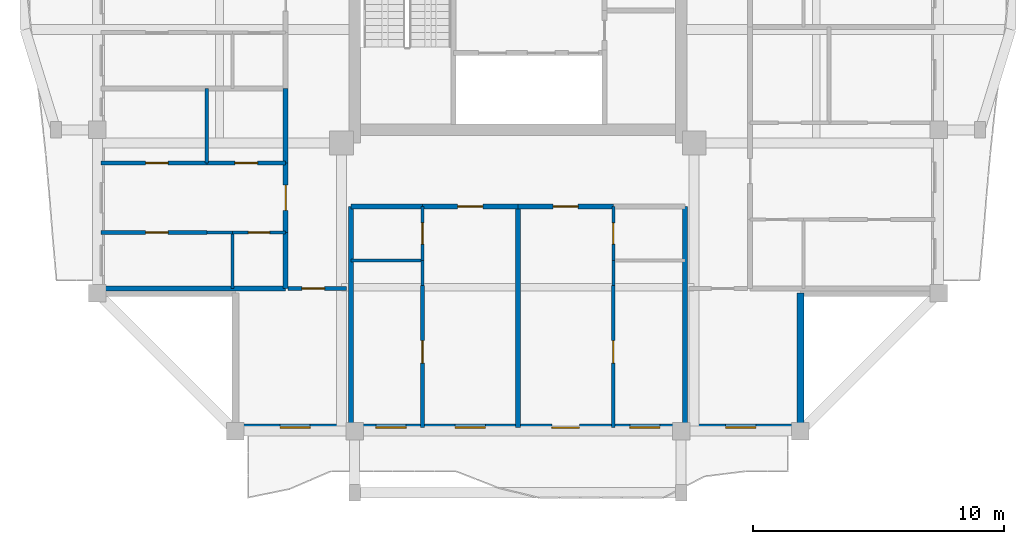
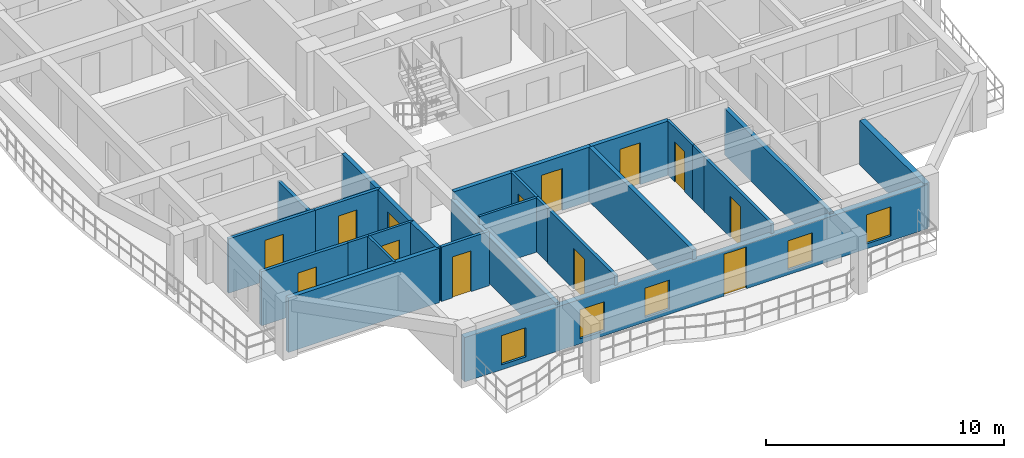
# One storey, part 2 of 14: 27 walls, 13 doors, 5 windows, 18 openings.
"""IFC4 building model written with IfcOpenShell, lengths in metres."""

from ifc_helpers import new_model, si_unit, direction, frame, frame_2d, origin, place, context, subcontext, project, spatial, rectangle, extrude, source, transform, mapped, material, layer, layer_set, type_object, element, fill, save


model = new_model("IFC4")

# Units and contexts
model_context = context("Model", 3, precision=1e-05, world=origin(), true_north=direction((0.0, 1.0)))
body_context = subcontext(model_context, "Body", "Model", "MODEL_VIEW")
ifc_project = project(units=[si_unit("LENGTHUNIT", "METRE"), si_unit("AREAUNIT", "SQUARE_METRE"), si_unit("VOLUMEUNIT", "CUBIC_METRE"), si_unit("PLANEANGLEUNIT", "RADIAN"), si_unit("MASSUNIT", "GRAM", prefix="KILO")], contexts=[model_context])

# Site, building, storey
site_placement = place(None, origin())
site = spatial("IfcSite", under=ifc_project, at=site_placement, CompositionType="ELEMENT")
building_placement = place(site_placement, origin())
building = spatial("IfcBuilding", under=site, at=building_placement, Name="Saelheon Loggia Tower", CompositionType="ELEMENT")
storey_placement = place(building_placement, frame((0.0, 0.0, 230.10009765625)))
storey = spatial("IfcBuildingStorey", under=building, at=storey_placement, Name="L71", CompositionType="ELEMENT", Elevation=230.10009765625)

# Wall, openings, windows, door
ifc_material_1 = material(Name="Architectural Precast Concrete C40/50", Category="concrete")
ifc_layer_1 = layer(ifc_material_1, 0.280029296875)
ifc_layer_set_1 = layer_set([ifc_layer_1], Name="Architectural Precast Concrete C40/50")
wall_type_1 = type_object("IfcWallType", Name="Wall_Ext_Loggia_280", PredefinedType="SOLIDWALL", material=ifc_layer_set_1)
wall_1_placement = place(storey_placement, frame((26.75, 6.139892578125, 0.0), z_axis=(0.0, 0.0, 1.0), x_axis=(1.0, 0.0, 0.0)))
wall_1 = element("IfcWall", 1, at=wall_1_placement, inside=storey, type_object=wall_type_1, Name="L71 South Loggia Inner Wall", PredefinedType="SOLIDWALL", context=body_context, shape_type="SweptSolid", body=[
    extrude(rectangle(XDim=22.5, YDim=0.280029296875, at=frame_2d((11.25, 0.0))), origin(), (0.0, 0.0, 1.0), 2.27978515625),
])
opening_1_placement = place(wall_1_placement, frame((1.77490234375, 0.0, 0.25)))
opening_1 = element("IfcOpeningElement", 2, at=opening_1_placement, cuts=wall_1, Name="Opening WN-03", PredefinedType="OPENING", context=body_context, shape_type="SweptSolid", body=[
    extrude(rectangle(XDim=1.199951171875, YDim=1.5, at=frame_2d((0.60009765625, 0.75))), frame((0.0, 0.152099609375, 0.0), z_axis=(0.0, -1.0, 0.0), x_axis=(1.0, 0.0, 0.0)), (0.0, 0.0, 1.0), 0.303955078125),
])
opening_2_placement = place(wall_1_placement, frame((5.594970703125, 0.0, 0.25)))
opening_2 = element("IfcOpeningElement", 3, at=opening_2_placement, cuts=wall_1, Name="Opening WN-03", PredefinedType="OPENING", context=body_context, shape_type="SweptSolid", body=[
    extrude(rectangle(XDim=1.199951171875, YDim=1.5, at=frame_2d((0.60009765625, 0.75))), frame((0.0, 0.152099609375, 0.0), z_axis=(0.0, -1.0, 0.0), x_axis=(1.0, 0.0, 0.0)), (0.0, 0.0, 1.0), 0.303955078125),
])
opening_3_placement = place(wall_1_placement, frame((8.75, 0.0, 0.25)))
opening_3 = element("IfcOpeningElement", 4, at=opening_3_placement, cuts=wall_1, Name="Opening WN-03", PredefinedType="OPENING", context=body_context, shape_type="SweptSolid", body=[
    extrude(rectangle(XDim=1.199951171875, YDim=1.5, at=frame_2d((0.60009765625, 0.75))), frame((0.0, 0.152099609375, 0.0), z_axis=(0.0, -1.0, 0.0), x_axis=(1.0, 0.0, 0.0)), (0.0, 0.0, 1.0), 0.303955078125),
])
opening_4_placement = place(wall_1_placement, frame((13.7001953125, 0.0, 0.0), z_axis=(0.0, 0.0, 1.0), x_axis=(-1.0, 0.0, 0.0)))
opening_4 = element("IfcOpeningElement", 5, at=opening_4_placement, cuts=wall_1, Name="Opening TD1", PredefinedType="OPENING", context=body_context, shape_type="SweptSolid", body=[
    extrude(rectangle(XDim=1.10009765625, YDim=2.14990234375, at=frame_2d((0.550048828125, 1.074951171875))), frame((0.0, 0.152099609375, 0.0), z_axis=(0.0, -1.0, 0.0), x_axis=(1.0, 0.0, 0.0)), (0.0, 0.0, 1.0), 0.303955078125),
])
opening_5_placement = place(wall_1_placement, frame((15.705078125, 0.0, 0.25)))
opening_5 = element("IfcOpeningElement", 6, at=opening_5_placement, cuts=wall_1, Name="Opening WN-03", PredefinedType="OPENING", context=body_context, shape_type="SweptSolid", body=[
    extrude(rectangle(XDim=1.199951171875, YDim=1.5, at=frame_2d((0.60009765625, 0.75))), frame((0.0, 0.152099609375, 0.0), z_axis=(0.0, -1.0, 0.0), x_axis=(1.0, 0.0, 0.0)), (0.0, 0.0, 1.0), 0.303955078125),
])
opening_6_placement = place(wall_1_placement, frame((19.52490234375, 0.0, 0.25)))
opening_6 = element("IfcOpeningElement", 7, at=opening_6_placement, cuts=wall_1, Name="Opening WN-03", PredefinedType="OPENING", context=body_context, shape_type="SweptSolid", body=[
    extrude(rectangle(XDim=1.199951171875, YDim=1.5, at=frame_2d((0.60009765625, 0.75))), frame((0.0, 0.152099609375, 0.0), z_axis=(0.0, -1.0, 0.0), x_axis=(1.0, 0.0, 0.0)), (0.0, 0.0, 1.0), 0.303955078125),
])
ifc_material_2 = material(Name="Thermal-Break Aluminium and Triple Low-E Glass", Category="aluminium")
window_type = type_object("IfcWindowType", Name="Win_Bedroom_1200x1500", PartitioningType="SINGLE_PANEL", PredefinedType="WINDOW", material=ifc_material_2)
shared_shape_1 = source(origin(), body_context, "Body", "SweptSolid", [
    extrude(rectangle(XDim=1.199951171875, YDim=1.5, at=frame_2d((0.60009765625, 0.75))), frame((0.0, 0.030029296875, 0.0), z_axis=(0.0, -1.0, 0.0), x_axis=(1.0, 0.0, 0.0)), (0.0, 0.0, 1.0), 0.06005859375),
])
window_1_placement = place(opening_1_placement, origin())
window_1 = element("IfcWindow", 8, at=window_1_placement, inside=storey, type_object=window_type, Name="L71 S Dwelling Window 1", OverallHeight=1.5, OverallWidth=1.199951171875, PartitioningType="SINGLE_PANEL", PredefinedType="WINDOW", context=body_context, shape_type="MappedRepresentation", body=[
    mapped(shared_shape_1, transform((0.0, 0.0, 0.0), scale=1.0)),
])
fill(opening_1, window_1)
window_2_placement = place(opening_2_placement, origin())
window_2 = element("IfcWindow", 9, at=window_2_placement, inside=storey, type_object=window_type, Name="L71 S Dwelling Window 2", OverallHeight=1.5, OverallWidth=1.199951171875, PartitioningType="SINGLE_PANEL", PredefinedType="WINDOW", context=body_context, shape_type="MappedRepresentation", body=[
    mapped(shared_shape_1, transform((0.0, 0.0, 0.0), scale=1.0)),
])
fill(opening_2, window_2)
window_3_placement = place(opening_3_placement, origin())
window_3 = element("IfcWindow", 10, at=window_3_placement, inside=storey, type_object=window_type, Name="L71 S Dwelling Window 3", OverallHeight=1.5, OverallWidth=1.199951171875, PartitioningType="SINGLE_PANEL", PredefinedType="WINDOW", context=body_context, shape_type="MappedRepresentation", body=[
    mapped(shared_shape_1, transform((0.0, 0.0, 0.0), scale=1.0)),
])
fill(opening_3, window_3)
window_4_placement = place(opening_5_placement, origin())
window_4 = element("IfcWindow", 11, at=window_4_placement, inside=storey, type_object=window_type, Name="L71 S Dwelling Window 5", OverallHeight=1.5, OverallWidth=1.199951171875, PartitioningType="SINGLE_PANEL", PredefinedType="WINDOW", context=body_context, shape_type="MappedRepresentation", body=[
    mapped(shared_shape_1, transform((0.0, 0.0, 0.0), scale=1.0)),
])
fill(opening_5, window_4)
window_5_placement = place(opening_6_placement, origin())
window_5 = element("IfcWindow", 12, at=window_5_placement, inside=storey, type_object=window_type, Name="L71 S Dwelling Window 6", OverallHeight=1.5, OverallWidth=1.199951171875, PartitioningType="SINGLE_PANEL", PredefinedType="WINDOW", context=body_context, shape_type="MappedRepresentation", body=[
    mapped(shared_shape_1, transform((0.0, 0.0, 0.0), scale=1.0)),
])
fill(opening_6, window_5)
ifc_material_3 = material(Name="Thermal-Break Aluminium Glazed Door", Category="aluminium")
door_type_1 = type_object("IfcDoorType", Name="Door_Terrace_TD1", OperationType="NOTDEFINED", PredefinedType="DOOR", material=ifc_material_3)
shared_shape_2 = source(origin(), body_context, "Body", "SweptSolid", [
    extrude(rectangle(XDim=1.10009765625, YDim=2.14990234375, at=frame_2d((0.550048828125, 1.074951171875))), frame((0.0, 0.02490234375, 0.0), z_axis=(0.0, -1.0, 0.0), x_axis=(1.0, 0.0, 0.0)), (0.0, 0.0, 1.0), 0.050048828125),
])
door_1_placement = place(opening_4_placement, origin())
door_1 = element("IfcDoor", 13, at=door_1_placement, inside=storey, type_object=door_type_1, Name="L71 S Loggia Access Door", OperationType="SINGLE_SWING_RIGHT", OverallHeight=2.14990234375, OverallWidth=1.10009765625, PredefinedType="DOOR", context=body_context, shape_type="MappedRepresentation", body=[
    mapped(shared_shape_2, transform((0.0, 0.0, 0.0), scale=1.0)),
])
fill(opening_4, door_1)

# Wall
wall_2_placement = place(storey_placement, frame((49.25, 6.080078125, 0.0), z_axis=(0.0, 0.0, 1.0), x_axis=(0.0, 1.0, 0.0)))
element("IfcWall", 14, at=wall_2_placement, inside=storey, type_object=wall_type_1, Name="L71 Corner Notch Precast Wall SE1", PredefinedType="SOLIDWALL", context=body_context, shape_type="SweptSolid", body=[
    extrude(rectangle(XDim=5.419921875, YDim=0.280029296875, at=frame_2d((2.7099609375, 0.0))), origin(), (0.0, 0.0, 1.0), 2.27978515625),
])

# Wall, opening, door
ifc_material_4 = material(Name="Lightweight Autoclaved Aerated Concrete Block and Acoustic Gypsum", Category="concrete")
ifc_layer_2 = layer(ifc_material_4, 0.14990234375)
ifc_layer_set_2 = layer_set([ifc_layer_2], Name="Lightweight Autoclaved Aerated Concrete Block and Acoustic Gypsum")
wall_type_2 = type_object("IfcWallType", Name="Wall_Part_150", PredefinedType="PARTITIONING", material=ifc_layer_set_2)
wall_3_placement = place(storey_placement, frame((28.85009765625, 11.679931640625, 0.0), z_axis=(0.0, 0.0, 1.0), x_axis=(1.0, 0.0, 0.0)))
wall_3 = element("IfcWall", 15, at=wall_3_placement, inside=storey, type_object=wall_type_2, Name="PW-L71-CSW-H", PredefinedType="PARTITIONING", context=body_context, shape_type="SweptSolid", body=[
    extrude(rectangle(XDim=2.329833984375, YDim=0.14990234375, at=frame_2d((1.1650390625, 0.0))), origin(), (0.0, 0.0, 1.0), 2.789794921875),
])
opening_7_placement = place(wall_3_placement, frame((0.550048828125, 0.0, 0.0)))
opening_7 = element("IfcOpeningElement", 16, at=opening_7_placement, cuts=wall_3, Name="Opening D-IN2", PredefinedType="OPENING", context=body_context, shape_type="SweptSolid", body=[
    extrude(rectangle(XDim=0.89990234375, YDim=2.10009765625, at=frame_2d((0.449951171875, 1.050048828125))), frame((0.0, 0.0869140625, 0.0), z_axis=(0.0, -1.0, 0.0), x_axis=(1.0, 0.0, 0.0)), (0.0, 0.0, 1.0), 0.173828125),
])
ifc_material_5 = material(Name="Engineered Oak Flush Door", Category="timber")
door_type_2 = type_object("IfcDoorType", Name="Door_Int_900", OperationType="NOTDEFINED", PredefinedType="DOOR", material=ifc_material_5)
shared_shape_3 = source(origin(), body_context, "Body", "SweptSolid", [
    extrude(rectangle(XDim=0.89990234375, YDim=2.10009765625, at=frame_2d((0.449951171875, 1.050048828125))), frame((0.0, 0.02490234375, 0.0), z_axis=(0.0, -1.0, 0.0), x_axis=(1.0, 0.0, 0.0)), (0.0, 0.0, 1.0), 0.050048828125),
])
door_2_placement = place(opening_7_placement, origin())
door_2 = element("IfcDoor", 17, at=door_2_placement, inside=storey, type_object=door_type_2, Name="L71 Corner Home Office SW Door", OperationType="SINGLE_SWING_LEFT", OverallHeight=2.10009765625, OverallWidth=0.89990234375, PredefinedType="DOOR", context=body_context, shape_type="MappedRepresentation", body=[
    mapped(shared_shape_3, transform((0.0, 0.0, 0.0), scale=1.0)),
])
fill(opening_7, door_2)

wall_4_placement = place(storey_placement, frame((34.199951171875, 11.81005859375, 0.0), z_axis=(0.0, 0.0, 1.0), x_axis=(0.0, -1.0, 0.0)))
wall_4 = element("IfcWall", 18, at=wall_4_placement, inside=storey, type_object=wall_type_2, Name="L71 S Partition U08", PredefinedType="PARTITIONING", context=body_context, shape_type="SweptSolid", body=[
    extrude(rectangle(XDim=5.66015625, YDim=0.14990234375, at=frame_2d((2.830078125, 0.0))), origin(), (0.0, 0.0, 1.0), 2.789794921875),
])
opening_8_placement = place(wall_4_placement, frame((2.20166015625, 0.0, 0.0)))
opening_8 = element("IfcOpeningElement", 19, at=opening_8_placement, cuts=wall_4, Name="Opening D-IN2", PredefinedType="OPENING", context=body_context, shape_type="SweptSolid", body=[
    extrude(rectangle(XDim=0.89990234375, YDim=2.10009765625, at=frame_2d((0.449951171875, 1.050048828125))), frame((0.0, 0.0869140625, 0.0), z_axis=(0.0, -1.0, 0.0), x_axis=(1.0, 0.0, 0.0)), (0.0, 0.0, 1.0), 0.173828125),
])
door_3_placement = place(opening_8_placement, origin())
door_3 = element("IfcDoor", 20, at=door_3_placement, inside=storey, type_object=door_type_2, Name="Unit U01 Kitchen Door", OperationType="SINGLE_SWING_LEFT", OverallHeight=2.10009765625, OverallWidth=0.89990234375, PredefinedType="DOOR", context=body_context, shape_type="MappedRepresentation", body=[
    mapped(shared_shape_3, transform((0.0, 0.0, 0.0), scale=1.0)),
])
fill(opening_8, door_3)

wall_5_placement = place(storey_placement, frame((41.800048828125, 11.81005859375, 0.0), z_axis=(0.0, 0.0, 1.0), x_axis=(0.0, -1.0, 0.0)))
wall_5 = element("IfcWall", 21, at=wall_5_placement, inside=storey, type_object=wall_type_2, Name="L71 S Partition U15", PredefinedType="PARTITIONING", context=body_context, shape_type="SweptSolid", body=[
    extrude(rectangle(XDim=5.66015625, YDim=0.14990234375, at=frame_2d((2.830078125, 0.0))), origin(), (0.0, 0.0, 1.0), 2.789794921875),
])
opening_9_placement = place(wall_5_placement, frame((2.20166015625, 0.0, 0.0)))
opening_9 = element("IfcOpeningElement", 22, at=opening_9_placement, cuts=wall_5, Name="Opening D-IN2", PredefinedType="OPENING", context=body_context, shape_type="SweptSolid", body=[
    extrude(rectangle(XDim=0.89990234375, YDim=2.10009765625, at=frame_2d((0.449951171875, 1.050048828125))), frame((0.0, 0.0869140625, 0.0), z_axis=(0.0, -1.0, 0.0), x_axis=(1.0, 0.0, 0.0)), (0.0, 0.0, 1.0), 0.173828125),
])
door_4_placement = place(opening_9_placement, origin())
door_4 = element("IfcDoor", 23, at=door_4_placement, inside=storey, type_object=door_type_2, Name="Unit U02 Kitchen Door", OperationType="SINGLE_SWING_RIGHT", OverallHeight=2.10009765625, OverallWidth=0.89990234375, PredefinedType="DOOR", context=body_context, shape_type="MappedRepresentation", body=[
    mapped(shared_shape_3, transform((0.0, 0.0, 0.0), scale=1.0)),
])
fill(opening_9, door_4)

# Wall
wall_6_placement = place(storey_placement, frame((25.610107421875, 16.679931640625, 0.0), z_axis=(0.0, 0.0, 1.0), x_axis=(0.0, 1.0, 0.0)))
element("IfcWall", 24, at=wall_6_placement, inside=storey, type_object=wall_type_2, Name="L71 W Partition V07", PredefinedType="PARTITIONING", context=body_context, shape_type="SweptSolid", body=[
    extrude(rectangle(XDim=2.966552734375, YDim=0.14990234375, at=frame_2d((1.4833984375, 0.0))), origin(), (0.0, 0.0, 1.0), 2.489990234375),
])

# Wall, opening, door
wall_7_placement = place(storey_placement, frame((25.610107421875, 13.91064453125, 0.0), z_axis=(0.0, 0.0, 1.0), x_axis=(-1.0, 0.0, 0.0)))
wall_7 = element("IfcWall", 25, at=wall_7_placement, inside=storey, type_object=wall_type_2, Name="L71 W Partition U10", PredefinedType="PARTITIONING", context=body_context, shape_type="SweptSolid", body=[
    extrude(rectangle(XDim=4.210205078125, YDim=0.14990234375, at=frame_2d((2.10498046875, 0.0))), origin(), (0.0, 0.0, 1.0), 2.789794921875),
])
opening_10_placement = place(wall_7_placement, frame((1.537109375, 0.0, 0.0)))
opening_10 = element("IfcOpeningElement", 26, at=opening_10_placement, cuts=wall_7, Name="Opening D-IN2", PredefinedType="OPENING", context=body_context, shape_type="SweptSolid", body=[
    extrude(rectangle(XDim=0.89990234375, YDim=2.10009765625, at=frame_2d((0.449951171875, 1.050048828125))), frame((0.0, 0.0869140625, 0.0), z_axis=(0.0, -1.0, 0.0), x_axis=(1.0, 0.0, 0.0)), (0.0, 0.0, 1.0), 0.173828125),
])
door_5_placement = place(opening_10_placement, origin())
door_5 = element("IfcDoor", 27, at=door_5_placement, inside=storey, type_object=door_type_2, Name="Unit U05 Kitchen Door", OperationType="SINGLE_SWING_RIGHT", OverallHeight=2.10009765625, OverallWidth=0.89990234375, PredefinedType="DOOR", context=body_context, shape_type="MappedRepresentation", body=[
    mapped(shared_shape_3, transform((0.0, 0.0, 0.0), scale=1.0)),
])
fill(opening_10, door_5)

wall_8_placement = place(storey_placement, frame((28.75, 16.679931640625, 0.0), z_axis=(0.0, 0.0, 1.0), x_axis=(-1.0, 0.0, 0.0)))
wall_8 = element("IfcWall", 28, at=wall_8_placement, inside=storey, type_object=wall_type_2, Name="L71 W Partition U11", PredefinedType="PARTITIONING", context=body_context, shape_type="SweptSolid", body=[
    extrude(rectangle(XDim=3.139892578125, YDim=0.14990234375, at=frame_2d((1.56982421875, 0.0))), origin(), (0.0, 0.0, 1.0), 2.789794921875),
])
opening_11_placement = place(wall_8_placement, frame((1.1201171875, 0.0, 0.0)))
opening_11 = element("IfcOpeningElement", 29, at=opening_11_placement, cuts=wall_8, Name="Opening D-IN2", PredefinedType="OPENING", context=body_context, shape_type="SweptSolid", body=[
    extrude(rectangle(XDim=0.89990234375, YDim=2.10009765625, at=frame_2d((0.449951171875, 1.050048828125))), frame((0.0, 0.0869140625, 0.0), z_axis=(0.0, -1.0, 0.0), x_axis=(1.0, 0.0, 0.0)), (0.0, 0.0, 1.0), 0.173828125),
])
door_6_placement = place(opening_11_placement, origin())
door_6 = element("IfcDoor", 30, at=door_6_placement, inside=storey, type_object=door_type_2, Name="Unit U05 Dressing Closet Door", OperationType="SINGLE_SWING_LEFT", OverallHeight=2.10009765625, OverallWidth=0.89990234375, PredefinedType="DOOR", context=body_context, shape_type="MappedRepresentation", body=[
    mapped(shared_shape_3, transform((0.0, 0.0, 0.0), scale=1.0)),
])
fill(opening_11, door_6)

wall_9_placement = place(storey_placement, frame((25.610107421875, 16.679931640625, 0.0), z_axis=(0.0, 0.0, 1.0), x_axis=(-1.0, 0.0, 0.0)))
wall_9 = element("IfcWall", 31, at=wall_9_placement, inside=storey, type_object=wall_type_2, Name="L71 W Partition U12", PredefinedType="PARTITIONING", context=body_context, shape_type="SweptSolid", body=[
    extrude(rectangle(XDim=4.210205078125, YDim=0.14990234375, at=frame_2d((2.10498046875, 0.0))), origin(), (0.0, 0.0, 1.0), 2.789794921875),
])
opening_12_placement = place(wall_9_placement, frame((1.537109375, 0.0, 0.0)))
opening_12 = element("IfcOpeningElement", 32, at=opening_12_placement, cuts=wall_9, Name="Opening D-IN2", PredefinedType="OPENING", context=body_context, shape_type="SweptSolid", body=[
    extrude(rectangle(XDim=0.89990234375, YDim=2.10009765625, at=frame_2d((0.449951171875, 1.050048828125))), frame((0.0, 0.0869140625, 0.0), z_axis=(0.0, -1.0, 0.0), x_axis=(1.0, 0.0, 0.0)), (0.0, 0.0, 1.0), 0.173828125),
])
door_7_placement = place(opening_12_placement, origin())
door_7 = element("IfcDoor", 33, at=door_7_placement, inside=storey, type_object=door_type_2, Name="Unit U05 Bedroom 1 Door", OperationType="SINGLE_SWING_RIGHT", OverallHeight=2.10009765625, OverallWidth=0.89990234375, PredefinedType="DOOR", context=body_context, shape_type="MappedRepresentation", body=[
    mapped(shared_shape_3, transform((0.0, 0.0, 0.0), scale=1.0)),
])
fill(opening_12, door_7)

# Walls
ifc_material_6 = material(Name="Double Acoustic Stud and Fireboard Partition", Category="gypsum")
ifc_layer_3 = layer(ifc_material_6, 0.199951171875)
ifc_layer_set_3 = layer_set([ifc_layer_3], Name="Double Acoustic Stud and Fireboard Partition")
wall_type_3 = type_object("IfcWallType", Name="Wall_Party_200", PredefinedType="PARTITIONING", material=ifc_layer_set_3)
for number, where, z_axis, x_axis, name in (
    (34, (31.35009765625, 14.949951171875, 0.0), (0.0, 0.0, 1.0), (0.0, -1.0, 0.0), "L71 S Partition U01"),
    (35, (44.64990234375, 14.949951171875, 0.0), (0.0, 0.0, 1.0), (0.0, -1.0, 0.0), "L71 S Partition U02"),
):
    element("IfcWall", number, at=place(storey_placement, frame(where, z_axis=z_axis, x_axis=x_axis)), inside=storey, type_object=wall_type_3, Name=name, PredefinedType="PARTITIONING", context=body_context, shape_type="SweptSolid", body=[
        extrude(rectangle(XDim=8.800048828125, YDim=0.199951171875, at=frame_2d((4.39990234375, 0.0))), origin(), (0.0, 0.0, 1.0), 2.389892578125),
    ])
wall_10_placement = place(storey_placement, frame((31.35009765625, 14.949951171875, 0.0), z_axis=(0.0, 0.0, 1.0), x_axis=(1.0, 0.0, 0.0)))
element("IfcWall", 36, at=wall_10_placement, inside=storey, type_object=wall_type_3, Name="L71 S Partition V03", PredefinedType="PARTITIONING", context=body_context, shape_type="SweptSolid", body=[
    extrude(rectangle(XDim=2.849853515625, YDim=0.199951171875, at=frame_2d((1.4248046875, 0.0))), origin(), (0.0, 0.0, 1.0), 2.789794921875),
])

# Wall, opening, door
wall_11_placement = place(storey_placement, frame((34.199951171875, 14.949951171875, 0.0), z_axis=(0.0, 0.0, 1.0), x_axis=(1.0, 0.0, 0.0)))
wall_11 = element("IfcWall", 37, at=wall_11_placement, inside=storey, type_object=wall_type_3, Name="L71 S Partition V04", PredefinedType="PARTITIONING", context=body_context, shape_type="SweptSolid", body=[
    extrude(rectangle(XDim=3.800048828125, YDim=0.199951171875, at=frame_2d((1.89990234375, 0.0))), origin(), (0.0, 0.0, 1.0), 2.789794921875),
])
opening_13_placement = place(wall_11_placement, frame((1.39990234375, 0.0, 0.0)))
opening_13 = element("IfcOpeningElement", 38, at=opening_13_placement, cuts=wall_11, Name="Opening D-FD1", PredefinedType="OPENING", context=body_context, shape_type="SweptSolid", body=[
    extrude(rectangle(XDim=1.0, YDim=2.14990234375, at=frame_2d((0.5, 1.074951171875))), frame((0.0, 0.112060546875, 0.0), z_axis=(0.0, -1.0, 0.0), x_axis=(1.0, 0.0, 0.0)), (0.0, 0.0, 1.0), 0.223876953125),
])
ifc_material_7 = material(Name="Fire-Rated Engineered Timber Entrance Door", Category="wood")
door_type_3 = type_object("IfcDoorType", Name="Door_Flat_FD30S", OperationType="NOTDEFINED", PredefinedType="DOOR", material=ifc_material_7)
shared_shape_4 = source(origin(), body_context, "Body", "SweptSolid", [
    extrude(rectangle(XDim=1.0, YDim=2.14990234375, at=frame_2d((0.5, 1.074951171875))), frame((0.0, 0.02490234375, 0.0), z_axis=(0.0, -1.0, 0.0), x_axis=(1.0, 0.0, 0.0)), (0.0, 0.0, 1.0), 0.050048828125),
])
door_8_placement = place(opening_13_placement, origin())
door_8 = element("IfcDoor", 39, at=door_8_placement, inside=storey, type_object=door_type_3, Name="Unit U01 Entrance Door", OperationType="SINGLE_SWING_LEFT", OverallHeight=2.14990234375, OverallWidth=1.0, PredefinedType="DOOR", context=body_context, shape_type="MappedRepresentation", body=[
    mapped(shared_shape_4, transform((0.0, 0.0, 0.0), scale=1.0)),
])
fill(opening_13, door_8)

# Wall
wall_12_placement = place(storey_placement, frame((38.0, 14.949951171875, 0.0), z_axis=(0.0, 0.0, 1.0), x_axis=(0.0, -1.0, 0.0)))
element("IfcWall", 40, at=wall_12_placement, inside=storey, type_object=wall_type_3, Name="L71 S Partition U09", PredefinedType="PARTITIONING", context=body_context, shape_type="SweptSolid", body=[
    extrude(rectangle(XDim=8.800048828125, YDim=0.199951171875, at=frame_2d((4.39990234375, 0.0))), origin(), (0.0, 0.0, 1.0), 2.789794921875),
])

# Wall, opening, door
wall_13_placement = place(storey_placement, frame((38.0, 14.949951171875, 0.0), z_axis=(0.0, 0.0, 1.0), x_axis=(1.0, 0.0, 0.0)))
wall_13 = element("IfcWall", 41, at=wall_13_placement, inside=storey, type_object=wall_type_3, Name="L71 S Partition V10", PredefinedType="PARTITIONING", context=body_context, shape_type="SweptSolid", body=[
    extrude(rectangle(XDim=3.800048828125, YDim=0.199951171875, at=frame_2d((1.89990234375, 0.0))), origin(), (0.0, 0.0, 1.0), 2.789794921875),
])
opening_14_placement = place(wall_13_placement, frame((1.39990234375, 0.0, 0.0)))
opening_14 = element("IfcOpeningElement", 42, at=opening_14_placement, cuts=wall_13, Name="Opening D-FD1", PredefinedType="OPENING", context=body_context, shape_type="SweptSolid", body=[
    extrude(rectangle(XDim=1.0, YDim=2.14990234375, at=frame_2d((0.5, 1.074951171875))), frame((0.0, 0.112060546875, 0.0), z_axis=(0.0, -1.0, 0.0), x_axis=(1.0, 0.0, 0.0)), (0.0, 0.0, 1.0), 0.223876953125),
])
door_9_placement = place(opening_14_placement, origin())
door_9 = element("IfcDoor", 43, at=door_9_placement, inside=storey, type_object=door_type_3, Name="Unit U02 Entrance Door", OperationType="SINGLE_SWING_RIGHT", OverallHeight=2.14990234375, OverallWidth=1.0, PredefinedType="DOOR", context=body_context, shape_type="MappedRepresentation", body=[
    mapped(shared_shape_4, transform((0.0, 0.0, 0.0), scale=1.0)),
])
fill(opening_14, door_9)

# Walls
wall_14_placement = place(storey_placement, frame((28.75, 11.679931640625, 0.0), z_axis=(0.0, 0.0, 1.0), x_axis=(-1.0, 0.0, 0.0)))
element("IfcWall", 44, at=wall_14_placement, inside=storey, type_object=wall_type_3, Name="L71 W Partition U01", PredefinedType="PARTITIONING", context=body_context, shape_type="SweptSolid", body=[
    extrude(rectangle(XDim=7.35009765625, YDim=0.199951171875, at=frame_2d((3.675048828125, 0.0))), origin(), (0.0, 0.0, 1.0), 2.789794921875),
])
wall_15_placement = place(storey_placement, frame((28.75, 11.679931640625, 0.0), z_axis=(0.0, 0.0, 1.0), x_axis=(0.0, 1.0, 0.0)))
element("IfcWall", 45, at=wall_15_placement, inside=storey, type_object=wall_type_3, Name="L71 W Partition V03", PredefinedType="PARTITIONING", context=body_context, shape_type="SweptSolid", body=[
    extrude(rectangle(XDim=2.230712890625, YDim=0.199951171875, at=frame_2d((1.115234375, 0.0))), origin(), (0.0, 0.0, 1.0), 2.789794921875),
])

# Wall, opening, door
wall_16_placement = place(storey_placement, frame((28.75, 13.91064453125, 0.0), z_axis=(0.0, 0.0, 1.0), x_axis=(0.0, 1.0, 0.0)))
wall_16 = element("IfcWall", 46, at=wall_16_placement, inside=storey, type_object=wall_type_3, Name="L71 W Partition V04", PredefinedType="PARTITIONING", context=body_context, shape_type="SweptSolid", body=[
    extrude(rectangle(XDim=2.769287109375, YDim=0.199951171875, at=frame_2d((1.384765625, 0.0))), origin(), (0.0, 0.0, 1.0), 2.789794921875),
])
opening_15_placement = place(wall_16_placement, frame((0.884765625, 0.0, 0.0)))
opening_15 = element("IfcOpeningElement", 47, at=opening_15_placement, cuts=wall_16, Name="Opening D-FD1", PredefinedType="OPENING", context=body_context, shape_type="SweptSolid", body=[
    extrude(rectangle(XDim=1.0, YDim=2.14990234375, at=frame_2d((0.5, 1.074951171875))), frame((0.0, 0.112060546875, 0.0), z_axis=(0.0, -1.0, 0.0), x_axis=(1.0, 0.0, 0.0)), (0.0, 0.0, 1.0), 0.223876953125),
])
door_10_placement = place(opening_15_placement, origin())
door_10 = element("IfcDoor", 48, at=door_10_placement, inside=storey, type_object=door_type_3, Name="Unit U05 Entrance Door", OperationType="SINGLE_SWING_RIGHT", OverallHeight=2.14990234375, OverallWidth=1.0, PredefinedType="DOOR", context=body_context, shape_type="MappedRepresentation", body=[
    mapped(shared_shape_4, transform((0.0, 0.0, 0.0), scale=1.0)),
])
fill(opening_15, door_10)

# Wall
wall_17_placement = place(storey_placement, frame((28.75, 16.679931640625, 0.0), z_axis=(0.0, 0.0, 1.0), x_axis=(0.0, 1.0, 0.0)))
element("IfcWall", 49, at=wall_17_placement, inside=storey, type_object=wall_type_3, Name="L71 W Partition V05", PredefinedType="PARTITIONING", context=body_context, shape_type="SweptSolid", body=[
    extrude(rectangle(XDim=2.966552734375, YDim=0.199951171875, at=frame_2d((1.4833984375, 0.0))), origin(), (0.0, 0.0, 1.0), 2.789794921875),
])

# Wall, opening, door
ifc_material_8 = material(Name="Moisture-Resistant Cement Board Partition", Category="gypsum")
ifc_layer_4 = layer(ifc_material_8, 0.1201171875)
ifc_layer_set_4 = layer_set([ifc_layer_4], Name="Moisture-Resistant Cement Board Partition")
wall_type_4 = type_object("IfcWallType", Name="Wall_WetPart_120", PredefinedType="PARTITIONING", material=ifc_layer_set_4)
wall_18_placement = place(storey_placement, frame((34.199951171875, 14.949951171875, 0.0), z_axis=(0.0, 0.0, 1.0), x_axis=(0.0, -1.0, 0.0)))
wall_18 = element("IfcWall", 50, at=wall_18_placement, inside=storey, type_object=wall_type_4, Name="L71 S Partition U05", PredefinedType="PARTITIONING", context=body_context, shape_type="SweptSolid", body=[
    extrude(rectangle(XDim=2.14990234375, YDim=0.1201171875, at=frame_2d((1.074951171875, 0.0))), origin(), (0.0, 0.0, 1.0), 2.789794921875),
])
opening_16_placement = place(wall_18_placement, frame((0.64990234375, 0.0, 0.0)))
opening_16 = element("IfcOpeningElement", 51, at=opening_16_placement, cuts=wall_18, Name="Opening D-BT1", PredefinedType="OPENING", context=body_context, shape_type="SweptSolid", body=[
    extrude(rectangle(XDim=0.85009765625, YDim=2.050048828125, at=frame_2d((0.425048828125, 1.02490234375))), frame((0.0, 0.072021484375, 0.0), z_axis=(0.0, -1.0, 0.0), x_axis=(1.0, 0.0, 0.0)), (0.0, 0.0, 1.0), 0.14404296875),
])
ifc_material_9 = material(Name="Moisture-Resistant Laminate Timber Door", Category="wood")
door_type_4 = type_object("IfcDoorType", Name="Door_Bath_850", OperationType="NOTDEFINED", PredefinedType="DOOR", material=ifc_material_9)
shared_shape_5 = source(origin(), body_context, "Body", "SweptSolid", [
    extrude(rectangle(XDim=0.85009765625, YDim=2.050048828125, at=frame_2d((0.425048828125, 1.02490234375))), frame((0.0, 0.02490234375, 0.0), z_axis=(0.0, -1.0, 0.0), x_axis=(1.0, 0.0, 0.0)), (0.0, 0.0, 1.0), 0.050048828125),
])
door_11_placement = place(opening_16_placement, origin())
door_11 = element("IfcDoor", 52, at=door_11_placement, inside=storey, type_object=door_type_4, Name="Unit U01 Bathroom Door", OperationType="SINGLE_SWING_RIGHT", OverallHeight=2.050048828125, OverallWidth=0.85009765625, PredefinedType="DOOR", context=body_context, shape_type="MappedRepresentation", body=[
    mapped(shared_shape_5, transform((0.0, 0.0, 0.0), scale=1.0)),
])
fill(opening_16, door_11)

# Walls
wall_19_placement = place(storey_placement, frame((34.199951171875, 12.800048828125, 0.0), z_axis=(0.0, 0.0, 1.0), x_axis=(0.0, -1.0, 0.0)))
element("IfcWall", 53, at=wall_19_placement, inside=storey, type_object=wall_type_4, Name="L71 S Partition U06", PredefinedType="PARTITIONING", context=body_context, shape_type="SweptSolid", body=[
    extrude(rectangle(XDim=0.989990234375, YDim=0.1201171875, at=frame_2d((0.4951171875, 0.0))), origin(), (0.0, 0.0, 1.0), 2.789794921875),
])
wall_20_placement = place(storey_placement, frame((31.35009765625, 12.800048828125, 0.0), z_axis=(0.0, 0.0, 1.0), x_axis=(1.0, 0.0, 0.0)))
element("IfcWall", 54, at=wall_20_placement, inside=storey, type_object=wall_type_4, Name="L71 S Partition V07", PredefinedType="PARTITIONING", context=body_context, shape_type="SweptSolid", body=[
    extrude(rectangle(XDim=2.849853515625, YDim=0.1201171875, at=frame_2d((1.4248046875, 0.0))), origin(), (0.0, 0.0, 1.0), 2.789794921875),
])

# Wall, opening, door
wall_21_placement = place(storey_placement, frame((41.800048828125, 14.949951171875, 0.0), z_axis=(0.0, 0.0, 1.0), x_axis=(0.0, -1.0, 0.0)))
wall_21 = element("IfcWall", 55, at=wall_21_placement, inside=storey, type_object=wall_type_4, Name="L71 S Partition U12", PredefinedType="PARTITIONING", context=body_context, shape_type="SweptSolid", body=[
    extrude(rectangle(XDim=2.14990234375, YDim=0.1201171875, at=frame_2d((1.074951171875, 0.0))), origin(), (0.0, 0.0, 1.0), 2.789794921875),
])
opening_17_placement = place(wall_21_placement, frame((0.64990234375, 0.0, 0.0)))
opening_17 = element("IfcOpeningElement", 56, at=opening_17_placement, cuts=wall_21, Name="Opening D-BT1", PredefinedType="OPENING", context=body_context, shape_type="SweptSolid", body=[
    extrude(rectangle(XDim=0.85009765625, YDim=2.050048828125, at=frame_2d((0.425048828125, 1.02490234375))), frame((0.0, 0.072021484375, 0.0), z_axis=(0.0, -1.0, 0.0), x_axis=(1.0, 0.0, 0.0)), (0.0, 0.0, 1.0), 0.14404296875),
])
door_12_placement = place(opening_17_placement, origin())
door_12 = element("IfcDoor", 57, at=door_12_placement, inside=storey, type_object=door_type_4, Name="Unit U02 Bathroom Door", OperationType="SINGLE_SWING_LEFT", OverallHeight=2.050048828125, OverallWidth=0.85009765625, PredefinedType="DOOR", context=body_context, shape_type="MappedRepresentation", body=[
    mapped(shared_shape_5, transform((0.0, 0.0, 0.0), scale=1.0)),
])
fill(opening_17, door_12)

# Walls
wall_22_placement = place(storey_placement, frame((41.800048828125, 12.800048828125, 0.0), z_axis=(0.0, 0.0, 1.0), x_axis=(0.0, -1.0, 0.0)))
element("IfcWall", 58, at=wall_22_placement, inside=storey, type_object=wall_type_4, Name="L71 S Partition U13", PredefinedType="PARTITIONING", context=body_context, shape_type="SweptSolid", body=[
    extrude(rectangle(XDim=0.989990234375, YDim=0.1201171875, at=frame_2d((0.4951171875, 0.0))), origin(), (0.0, 0.0, 1.0), 2.789794921875),
])
wall_23_placement = place(storey_placement, frame((26.6298828125, 11.679931640625, 0.0), z_axis=(0.0, 0.0, 1.0), x_axis=(0.0, 1.0, 0.0)))
element("IfcWall", 59, at=wall_23_placement, inside=storey, type_object=wall_type_4, Name="L71 W Partition V06", PredefinedType="PARTITIONING", context=body_context, shape_type="SweptSolid", body=[
    extrude(rectangle(XDim=2.230712890625, YDim=0.1201171875, at=frame_2d((1.115234375, 0.0))), origin(), (0.0, 0.0, 1.0), 2.789794921875),
])

# Wall, opening, door
wall_24_placement = place(storey_placement, frame((28.75, 13.91064453125, 0.0), z_axis=(0.0, 0.0, 1.0), x_axis=(-1.0, 0.0, 0.0)))
wall_24 = element("IfcWall", 60, at=wall_24_placement, inside=storey, type_object=wall_type_4, Name="L71 W Partition U08", PredefinedType="PARTITIONING", context=body_context, shape_type="SweptSolid", body=[
    extrude(rectangle(XDim=2.1201171875, YDim=0.1201171875, at=frame_2d((1.06005859375, 0.0))), origin(), (0.0, 0.0, 1.0), 2.789794921875),
])
opening_18_placement = place(wall_24_placement, frame((0.635009765625, 0.0, 0.0)))
opening_18 = element("IfcOpeningElement", 61, at=opening_18_placement, cuts=wall_24, Name="Opening D-BT1", PredefinedType="OPENING", context=body_context, shape_type="SweptSolid", body=[
    extrude(rectangle(XDim=0.85009765625, YDim=2.050048828125, at=frame_2d((0.425048828125, 1.02490234375))), frame((0.0, 0.072021484375, 0.0), z_axis=(0.0, -1.0, 0.0), x_axis=(1.0, 0.0, 0.0)), (0.0, 0.0, 1.0), 0.14404296875),
])
door_13_placement = place(opening_18_placement, origin())
door_13 = element("IfcDoor", 62, at=door_13_placement, inside=storey, type_object=door_type_4, Name="Unit U05 Bathroom Door", OperationType="SINGLE_SWING_LEFT", OverallHeight=2.050048828125, OverallWidth=0.85009765625, PredefinedType="DOOR", context=body_context, shape_type="MappedRepresentation", body=[
    mapped(shared_shape_5, transform((0.0, 0.0, 0.0), scale=1.0)),
])
fill(opening_18, door_13)

# Wall
wall_25_placement = place(storey_placement, frame((26.6298828125, 13.91064453125, 0.0), z_axis=(0.0, 0.0, 1.0), x_axis=(-1.0, 0.0, 0.0)))
element("IfcWall", 63, at=wall_25_placement, inside=storey, type_object=wall_type_4, Name="L71 W Partition U09", PredefinedType="PARTITIONING", context=body_context, shape_type="SweptSolid", body=[
    extrude(rectangle(XDim=1.019775390625, YDim=0.1201171875, at=frame_2d((0.509765625, 0.0))), origin(), (0.0, 0.0, 1.0), 2.789794921875),
])

save(model, "model.ifc")
